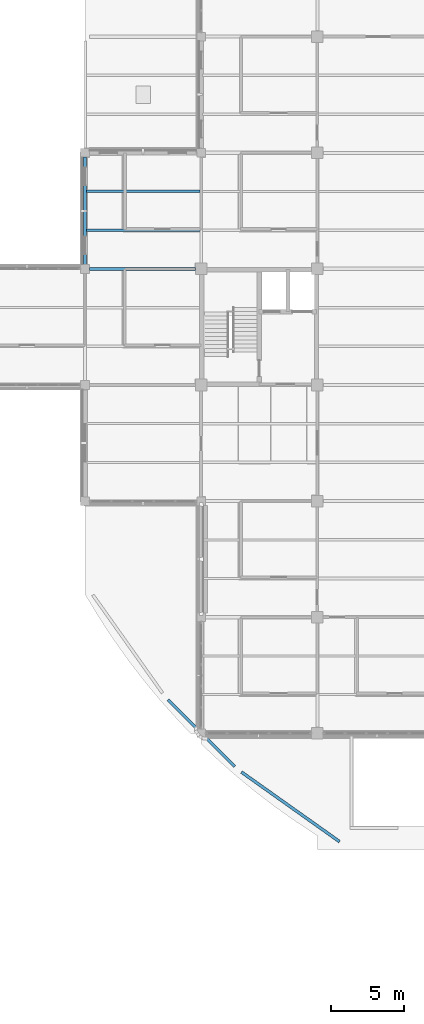
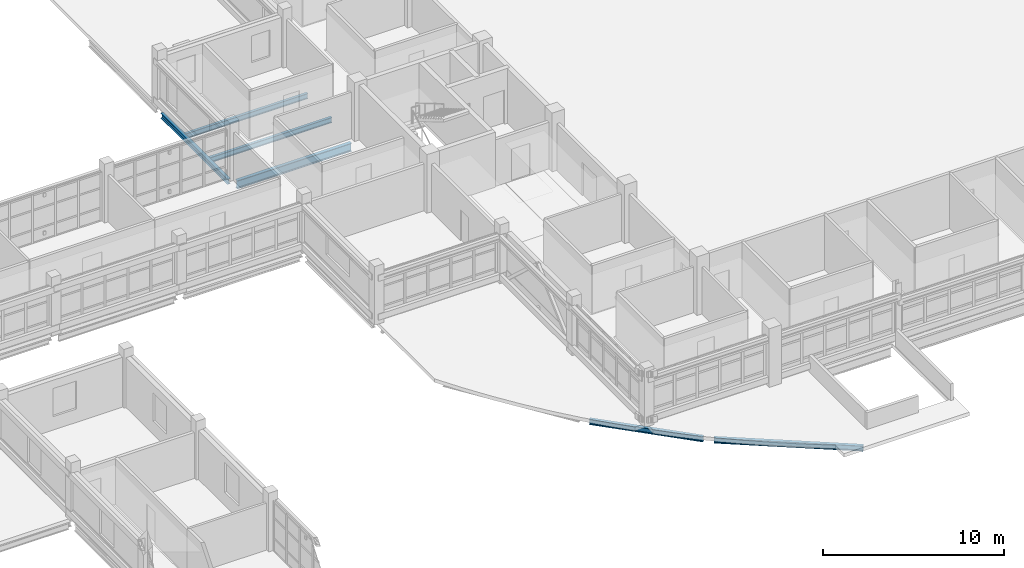
# One storey, part 22 of 126: 6 beams.
"""IFC4 building model written with IfcOpenShell, lengths in metres."""

from ifc_helpers import new_model, si_unit, derived_unit, direction, frame, origin, origin_2d, place, context, subcontext, project, spatial, i_section, extrude, material, material_profile, profile_set, type_object, element, save


model = new_model("IFC4")

# Units and contexts
model_context = context("Model", 3, precision=1e-05, world=origin(), true_north=direction((0.0, 1.0)))
body_context = subcontext(model_context, "Body", "Model", "MODEL_VIEW")
ifc_project = project(units=[si_unit("LENGTHUNIT", "METRE"), si_unit("AREAUNIT", "SQUARE_METRE"), si_unit("VOLUMEUNIT", "CUBIC_METRE"), si_unit("PLANEANGLEUNIT", "RADIAN"), si_unit("MASSUNIT", "GRAM", prefix="KILO"), derived_unit("THERMALTRANSMITTANCEUNIT", [(si_unit("MASSUNIT", "GRAM", prefix="KILO"), 1), (si_unit("TIMEUNIT", "SECOND"), -3), (si_unit("THERMODYNAMICTEMPERATUREUNIT", "KELVIN"), -1)])], contexts=[model_context])

# Site, building, storey
site_placement = place(None, origin())
site = spatial("IfcSite", under=ifc_project, at=site_placement, CompositionType="ELEMENT")
building_placement = place(site_placement, origin())
building = spatial("IfcBuilding", under=site, at=building_placement, Name="Veyamyaing Civic Hall", CompositionType="ELEMENT")
storey_placement = place(building_placement, frame((0.0, 0.0, 9.89990234375)))
storey = spatial("IfcBuildingStorey", under=building, at=storey_placement, Name="L02", CompositionType="ELEMENT", Elevation=9.89990234375)

# Beams
ifc_material = material(Name="Steel ASTM A992", Category="steel")
ifc_material_profile_1 = material_profile(ifc_material, i_section(OverallWidth=0.2041015625, OverallDepth=0.35009765625, WebThickness=0.0078125, FlangeThickness=0.01513671875, FilletRadius=0.010009765625, at=origin_2d()), Name="W360X72")
ifc_profile_set_1 = profile_set([ifc_material_profile_1], Name="Steel ASTM A992")
beam_type_1 = type_object("IfcBeamType", Name="B-11", PredefinedType="SPANDREL", material=ifc_profile_set_1)
beam_1_placement = place(storey_placement, frame((56.0, 56.300048828125, -0.4599609375), z_axis=(0.0, 1.0, 0.0), x_axis=(-1.0, 0.0, 0.0)))
element("IfcBeam", 1, at=beam_1_placement, inside=storey, type_object=beam_type_1, Name="Girder B-11 L02 Grid 8 H-J", PredefinedType="SPANDREL", context=body_context, shape_type="SweptSolid", body=[
    extrude(i_section(OverallWidth=0.2041015625, OverallDepth=0.35009765625, WebThickness=0.0078125, FlangeThickness=0.01513671875, FilletRadius=0.010009765625, at=origin_2d()), origin(), (0.0, 0.0, 1.0), 7.39990234375),
])
beam_2_placement = place(storey_placement, frame((61.717041015625, 26.3212890625, -0.4599609375), z_axis=(0.707106781187, -0.707106781187, 0.0), x_axis=(0.707106781187, 0.707106781187, 0.0)))
element("IfcBeam", 2, at=beam_2_placement, inside=storey, type_object=beam_type_1, Name="Curved corner spandrel B-11 L02 SW.2", PredefinedType="SPANDREL", context=body_context, shape_type="SweptSolid", body=[
    extrude(i_section(OverallWidth=0.2041015625, OverallDepth=0.35009765625, WebThickness=0.0078125, FlangeThickness=0.01513671875, FilletRadius=0.010009765625, at=origin_2d()), origin(), (0.0, 0.0, 1.0), 6.511474609375),
])
beam_3_placement = place(storey_placement, frame((66.778076171875, 21.331298828125, -0.4599609375), z_axis=(0.815567262109, -0.578662285773, 0.0), x_axis=(0.578662285773, 0.815567262109, 0.0)))
element("IfcBeam", 3, at=beam_3_placement, inside=storey, type_object=beam_type_1, Name="Curved corner spandrel B-11 L02 SW.3", PredefinedType="SPANDREL", context=body_context, shape_type="SweptSolid", body=[
    extrude(i_section(OverallWidth=0.2041015625, OverallDepth=0.35009765625, WebThickness=0.0078125, FlangeThickness=0.01513671875, FilletRadius=0.010009765625, at=origin_2d()), origin(), (0.0, 0.0, 1.0), 8.284423828125),
])
ifc_material_profile_2 = material_profile(ifc_material, i_section(OverallWidth=0.214111328125, OverallDepth=0.549072265625, WebThickness=0.0146484375, FlangeThickness=0.023681640625, FilletRadius=0.011962890625, at=origin_2d()), Name="W530X138")
ifc_profile_set_2 = profile_set([ifc_material_profile_2], Name="Steel ASTM A992")
beam_type_2 = type_object("IfcBeamType", Name="B-16", PredefinedType="BEAM", material=ifc_profile_set_2)
beam_4_placement = place(storey_placement, frame((56.300048828125, 56.0, -0.559326171875), z_axis=(1.0, 0.0, 0.0), x_axis=(0.0, 1.0, 0.0)))
element("IfcBeam", 4, at=beam_4_placement, inside=storey, type_object=beam_type_2, Name="Girder B-16 L02 Grid H 8-9", PredefinedType="BEAM", context=body_context, shape_type="SweptSolid", body=[
    extrude(i_section(OverallWidth=0.214111328125, OverallDepth=0.549072265625, WebThickness=0.0146484375, FlangeThickness=0.023681640625, FilletRadius=0.011962890625, at=origin_2d()), origin(), (0.0, 0.0, 1.0), 7.300048828125),
])
ifc_material_profile_3 = material_profile(ifc_material, i_section(OverallWidth=0.172119140625, OverallDepth=0.35791015625, WebThickness=0.0078125, FlangeThickness=0.01318359375, FilletRadius=0.010009765625, at=origin_2d()), Name="W360X57")
ifc_profile_set_3 = profile_set([ifc_material_profile_3], Name="Steel ASTM A992")
beam_type_3 = type_object("IfcBeamType", Name="J-02", PredefinedType="JOIST", material=ifc_profile_set_3)
for number, where, z_axis, x_axis, name in (
    (5, (56.10009765625, 58.666748046875, -0.4638671875), (1.0, 0.0, 0.0), (0.0, 1.0, 0.0), "Composite floor joist J-02 L02 8.8.1"),
    (6, (56.10009765625, 61.333251953125, -0.4638671875), (1.0, 0.0, 0.0), (0.0, 1.0, 0.0), "Composite floor joist J-02 L02 8.8.2"),
):
    element("IfcBeam", number, at=place(storey_placement, frame(where, z_axis=z_axis, x_axis=x_axis)), inside=storey, type_object=beam_type_3, Name=name, PredefinedType="JOIST", context=body_context, shape_type="SweptSolid", body=[
        extrude(i_section(OverallWidth=0.172119140625, OverallDepth=0.35791015625, WebThickness=0.0078125, FlangeThickness=0.01318359375, FilletRadius=0.010009765625, at=origin_2d()), origin(), (0.0, 0.0, 1.0), 7.804931640625),
    ])

save(model, "model.ifc")
